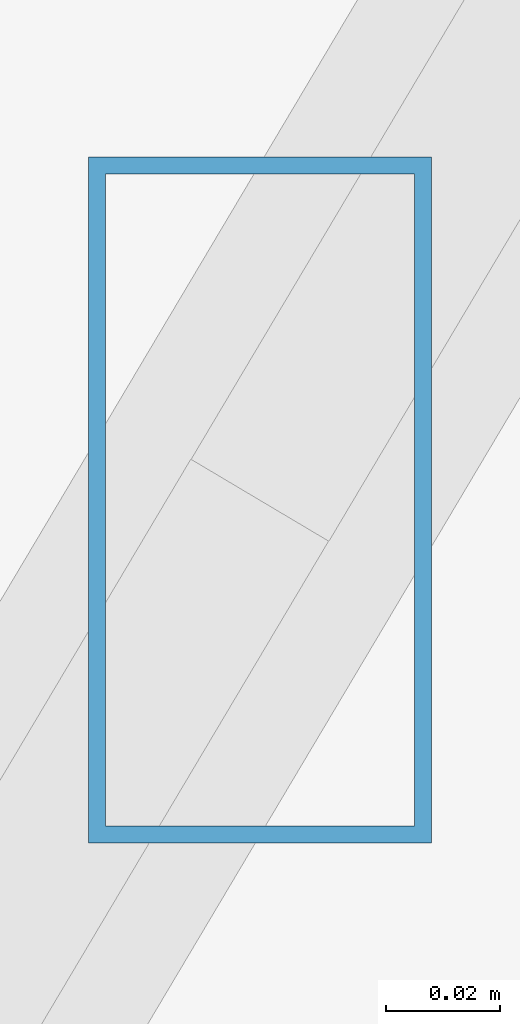
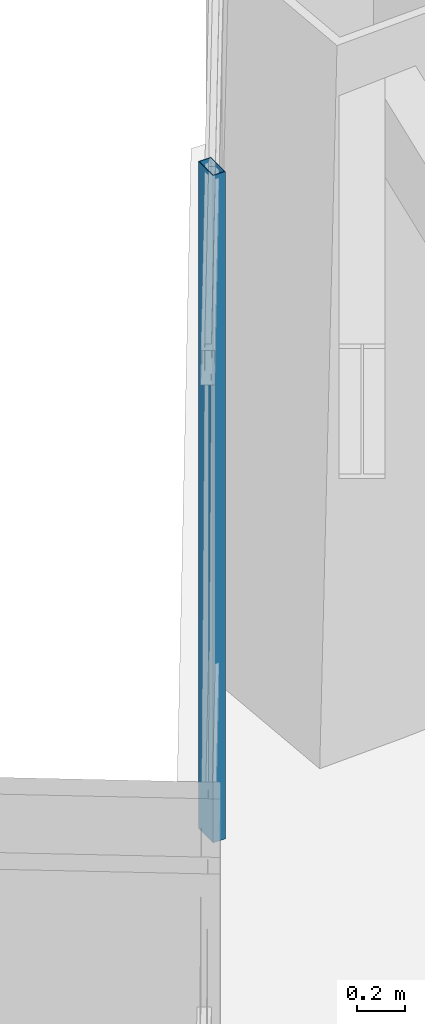
# One storey, part 34 of 47: 1 member, 1 element without a shape of its own.
"""IFC4 building model written with IfcOpenShell, lengths in metres."""

import ifcopenshell
import ifcopenshell.guid

model = None  # the IFC model being written
_history = None  # IfcOwnerHistory: only IFC2X3 demands one
_inside = {}  # id of a spatial element -> (the spatial element, [elements in it])
_under = {}  # id of a project, library or spatial element -> (it, [spatial elements below it])
_declared = {}  # id of a project -> (the project, [libraries it declares])
_typed = {}  # id of a type object -> (the type object, [elements of that type])
_made_of = {}  # id of a material, layer set ... -> (it, [elements and type objects made of it])


def new_model(schema):
    """Start an empty IFC model of exactly this schema.

    Asked for "IFC4X3", IfcOpenShell would pick the latest addendum, in which some entities
    have other attributes; the version numbers below select the first issue.
    IFC2X3 requires an IfcOwnerHistory on every rooted entity: one is made here for all.
    """
    global model, _history
    if schema == "IFC4X3":
        model = ifcopenshell.file(schema_version=(4, 3, 0, 0))
    else:
        model = ifcopenshell.file(schema=schema)
    _inside.clear()
    _under.clear()
    _declared.clear()
    _typed.clear()
    _made_of.clear()
    _history = None
    if model.schema == "IFC2X3":
        org = make("IfcOrganization", Name="unknown")
        user = make(
            "IfcPersonAndOrganization",
            ThePerson=make("IfcPerson", FamilyName="unknown"),
            TheOrganization=org,
        )
        app = make(
            "IfcApplication",
            ApplicationDeveloper=org,
            Version="unknown",
            ApplicationFullName="unknown",
            ApplicationIdentifier="unknown",
        )
        _history = make(
            "IfcOwnerHistory",
            OwningUser=user,
            OwningApplication=app,
            ChangeAction="ADDED",
            CreationDate=0,
        )
    return model


def make(cls, **values):
    """One entity of the class cls with the attributes given. An attribute that is None is left unset."""
    return model.create_entity(
        cls, **{name: value for name, value in values.items() if value is not None}
    )


def rooted(cls, **values):
    """An entity with a GlobalId (a new one), such as an element, a storey or a relation."""
    return make(cls, GlobalId=ifcopenshell.guid.new(), OwnerHistory=_history, **values)


def si_unit(unit_type, name, prefix=None):
    """IfcSIUnit, for example si_unit("LENGTHUNIT", "METRE", prefix="MILLI")."""
    return make("IfcSIUnit", UnitType=unit_type, Prefix=prefix, Name=name)


def assignment(units):
    """IfcUnitAssignment: the units of a project."""
    return None if units is None else make("IfcUnitAssignment", Units=units)


def point(xyz):
    """IfcCartesianPoint."""
    return None if xyz is None else make("IfcCartesianPoint", Coordinates=xyz)


def direction(xyz):
    """IfcDirection."""
    return None if xyz is None else make("IfcDirection", DirectionRatios=xyz)


def frame(location, z_axis=None, x_axis=None):
    """IfcAxis2Placement3D, a coordinate frame: its origin and axes. An axis left out is left unset."""
    return make(
        "IfcAxis2Placement3D",
        Location=point(location),
        Axis=direction(z_axis),
        RefDirection=direction(x_axis),
    )


def frame_2d(location, x_axis=None):
    """IfcAxis2Placement2D, a coordinate frame in the plane: its origin and x axis."""
    return make(
        "IfcAxis2Placement2D", Location=point(location), RefDirection=direction(x_axis)
    )


def origin():
    """The frame at (0, 0, 0) with its axes left unset."""
    return frame((0.0, 0.0, 0.0))


def origin_2d():
    """The frame at (0, 0) in the plane with its x axis left unset."""
    return frame_2d((0.0, 0.0))


def place(relative_to, where):
    """IfcLocalPlacement: puts the frame where relative to a parent placement (None: the world)."""
    return make(
        "IfcLocalPlacement", PlacementRelTo=relative_to, RelativePlacement=where
    )


def context(
    kind, dimensions, precision=None, world=None, true_north=None, identifier=None
):
    """IfcGeometricRepresentationContext, for example the 3D "Model" context."""
    return make(
        "IfcGeometricRepresentationContext",
        ContextIdentifier=identifier,
        ContextType=kind,
        CoordinateSpaceDimension=dimensions,
        Precision=precision,
        WorldCoordinateSystem=world,
        TrueNorth=true_north,
    )


def subcontext(parent, identifier, kind, view, scale=None):
    """IfcGeometricRepresentationSubContext, for example "Body" below "Model"."""
    return make(
        "IfcGeometricRepresentationSubContext",
        ContextIdentifier=identifier,
        ContextType=kind,
        ParentContext=parent,
        TargetScale=scale,
        TargetView=view,
    )


def project(units=None, contexts=None):
    """IfcProject with its units and contexts."""
    return rooted(
        "IfcProject",
        Name="project",
        RepresentationContexts=contexts,
        UnitsInContext=assignment(units),
    )


def spatial(cls, under=None, at=None, **own):
    """A site, building, storey or space (cls), placed at a placement, below another one or the project."""
    s = rooted(cls, ObjectPlacement=at, **own)
    if under is not None:
        _under.setdefault(under.id(), (under, []))[1].append(s)
    return s


def profile(cls, at=None, kind="AREA", **sizes):
    """A parametric profile (cls). Its sizes go by their IFC names, for example OverallWidth=200.0."""
    return make(cls, ProfileType=kind, Position=at, **sizes)


def hollow_rectangle(**sizes):
    """IfcRectangleHollowProfileDef."""
    return profile("IfcRectangleHollowProfileDef", **sizes)


def extrude(swept, where, along, depth):
    """IfcExtrudedAreaSolid: the profile swept, set in the frame where, extruded along a direction by depth."""
    return make(
        "IfcExtrudedAreaSolid",
        SweptArea=swept,
        Position=where,
        ExtrudedDirection=direction(along),
        Depth=depth,
    )


def shape(context_of_items, identifier, shape_type, items):
    """IfcShapeRepresentation: the items that make up one representation, for example the "Body"."""
    return make(
        "IfcShapeRepresentation",
        ContextOfItems=context_of_items,
        RepresentationIdentifier=identifier,
        RepresentationType=shape_type,
        Items=items,
    )


def source(mapping_origin, context_of_items, identifier, shape_type, items):
    """IfcRepresentationMap: a shape defined once, which mapped items show again and again."""
    return make(
        "IfcRepresentationMap",
        MappingOrigin=mapping_origin,
        MappedRepresentation=shape(context_of_items, identifier, shape_type, items),
    )


def transform(
    local_origin,
    x_axis=None,
    y_axis=None,
    z_axis=None,
    scale=None,
    scale2=None,
    scale3=None,
    uniform=True,
):
    """IfcCartesianTransformationOperator3D, or its non-uniform kind. x_axis, y_axis, z_axis: its Axis1, 2, 3."""
    if uniform:
        return make(
            "IfcCartesianTransformationOperator3D",
            Axis1=direction(x_axis),
            Axis2=direction(y_axis),
            LocalOrigin=point(local_origin),
            Scale=scale,
            Axis3=direction(z_axis),
        )
    return make(
        "IfcCartesianTransformationOperator3DnonUniform",
        Axis1=direction(x_axis),
        Axis2=direction(y_axis),
        LocalOrigin=point(local_origin),
        Scale=scale,
        Axis3=direction(z_axis),
        Scale2=scale2,
        Scale3=scale3,
    )


def mapped(mapping_source, mapping_target):
    """IfcMappedItem: shows the shape of a source again, moved by a transform."""
    return make(
        "IfcMappedItem", MappingSource=mapping_source, MappingTarget=mapping_target
    )


def material(Name=None, Category=None):
    """IfcMaterial."""
    return make("IfcMaterial", Name=Name, Category=Category)


def material_profile(
    of_material, cross_section, Name=None, Category=None, Priority=None
):
    """IfcMaterialProfile: a cross section and its material."""
    return make(
        "IfcMaterialProfile",
        Name=Name,
        Material=of_material,
        Profile=cross_section,
        Priority=Priority,
        Category=Category,
    )


def profile_set(profiles, Name=None, composite=None):
    """IfcMaterialProfileSet."""
    return make(
        "IfcMaterialProfileSet",
        Name=Name,
        MaterialProfiles=profiles,
        CompositeProfile=composite,
    )


def made_of(thing, what):
    """Note that an element or type object is made of a material, layer set ...; save() writes the relation."""
    if what is not None:
        _made_of.setdefault(what.id(), (what, []))[1].append(thing)
    return thing


def type_object(cls, material=None, **own):
    """A type object (cls), such as IfcWallType, which elements share."""
    return made_of(rooted(cls, **own), material)


def type_shapes(of_type, sources):
    """Give a type object the sources (RepresentationMaps) that its elements show as mapped items."""
    of_type.RepresentationMaps = sources


def element(
    cls,
    number,
    at=None,
    inside=None,
    cuts=None,
    type_object=None,
    material=None,
    context=None,
    identifier="Body",
    shape_type=None,
    held_by="IfcProductDefinitionShape",
    body=None,
    shapes=None,
    **own,
):
    """One element of the class cls, such as IfcWall. Its Tag is "e" and its number.

    at: its placement. inside: the storey or other place that contains it. cuts: it is an
    opening in that element (IfcRelVoidsElement). A single representation is given by context,
    identifier, shape_type and body (its items); several are given by shapes. held_by: the class
    of the entity that holds the representations. save() writes the other relations.
    """
    e = rooted(cls, Tag="e%d" % number, ObjectPlacement=at, **own)
    if body is not None:
        shapes = [shape(context, identifier, shape_type, body)]
    if shapes is not None:
        e.Representation = make(held_by, Representations=shapes)
    if inside is not None:
        _inside.setdefault(inside.id(), (inside, []))[1].append(e)
    if cuts is not None:
        rooted(
            "IfcRelVoidsElement", RelatingBuildingElement=cuts, RelatedOpeningElement=e
        )
    if type_object is not None:
        _typed.setdefault(type_object.id(), (type_object, []))[1].append(e)
    return made_of(e, material)


def aggregate(whole, parts):
    """IfcRelAggregates: a whole, such as a stair, and the parts it consists of."""
    return rooted("IfcRelAggregates", RelatingObject=whole, RelatedObjects=parts)


def save(model, path):
    """Write the relations noted so far, then the file.

    IfcRelAggregates (storeys below a building ...), IfcRelContainedInSpatialStructure (elements
    in a storey), IfcRelDefinesByType, IfcRelAssociatesMaterial and IfcRelDeclares: one each for
    every whole, place, type object, material and project.
    """
    for whole, parts in _under.values():
        aggregate(whole, parts)
    for where, things in _inside.values():
        rooted(
            "IfcRelContainedInSpatialStructure",
            RelatedElements=things,
            RelatingStructure=where,
        )
    for kind, things in _typed.values():
        rooted("IfcRelDefinesByType", RelatedObjects=things, RelatingType=kind)
    for what, things in _made_of.values():
        rooted("IfcRelAssociatesMaterial", RelatedObjects=things, RelatingMaterial=what)
    for by, libraries in _declared.values():
        rooted("IfcRelDeclares", RelatingContext=by, RelatedDefinitions=libraries)
    model.write(path)


model = new_model("IFC4")

# Units and contexts
model_context = context("Model", 3, precision=1e-05, world=origin(), true_north=direction((0.0, 1.0)))
body_context = subcontext(model_context, "Body", "Model", "MODEL_VIEW")
ifc_project = project(units=[si_unit("LENGTHUNIT", "METRE"), si_unit("AREAUNIT", "SQUARE_METRE"), si_unit("VOLUMEUNIT", "CUBIC_METRE"), si_unit("PLANEANGLEUNIT", "RADIAN"), si_unit("MASSUNIT", "GRAM", prefix="KILO")], contexts=[model_context])

# Site, building, storey
site_placement = place(None, origin())
site = spatial("IfcSite", under=ifc_project, at=site_placement, CompositionType="ELEMENT")
building_placement = place(site_placement, origin())
building = spatial("IfcBuilding", under=site, at=building_placement, Name="Caelisora Broadcast Tower", CompositionType="ELEMENT")
storey_placement = place(building_placement, frame((0.0, 0.0, 229.85009765625)))
storey = spatial("IfcBuildingStorey", under=building, at=storey_placement, Name="L60", CompositionType="ELEMENT", Elevation=229.85009765625)

# Curtain wall, member
ifc_material_1 = material(Name="Unitised Aluminium and Low-E Glass Curtain Wall", Category="glass")
curtain_wall_type = type_object("IfcCurtainWallType", Name="CW-Z5", PredefinedType="NOTDEFINED", material=ifc_material_1)
curtain_wall_placement = place(storey_placement, origin())
curtain_wall = element("IfcCurtainWall", 1, at=curtain_wall_placement, inside=storey, type_object=curtain_wall_type, Name="L60 curtain wall CW-Z5", PredefinedType="NOTDEFINED")
ifc_material_2 = material(Name="Aluminium 6063-T6 Anodised Terracotta Bronze", Category="aluminium")
ifc_material_profile = material_profile(ifc_material_2, hollow_rectangle(XDim=0.06005859375, YDim=0.1201171875, WallThickness=0.0029296875, at=origin_2d()), Name="Aluminium 6063-T6 Anodised Terracotta Bronze")
ifc_profile_set = profile_set([ifc_material_profile], Name="Aluminium 6063-T6 Anodised Terracotta Bronze")
member_type = type_object("IfcMemberType", Name="CWM-04", PredefinedType="MULLION", material=ifc_profile_set)
shared_shape = source(origin(), body_context, "Body", "SweptSolid", [
    extrude(hollow_rectangle(XDim=0.06005859375, YDim=0.1201171875, WallThickness=0.0029296875, at=origin_2d()), origin(), (0.0, 0.0, 1.0), 3.39990234375),
])
type_shapes(member_type, [shared_shape])
member_placement = place(storey_placement, frame((32.532470703125, 46.0263671875, 0.0), z_axis=(0.0, 0.0, 1.0), x_axis=(1.0, 0.0, 0.0)))
member = element("IfcMember", 2, at=member_placement, type_object=member_type, Name="L60-CW-B11 mullion #2", PredefinedType="MULLION", context=body_context, shape_type="MappedRepresentation", body=[
    mapped(shared_shape, transform((0.0, 0.0, 0.0), scale=1.0)),
])
aggregate(curtain_wall, [member])

save(model, "model.ifc")
